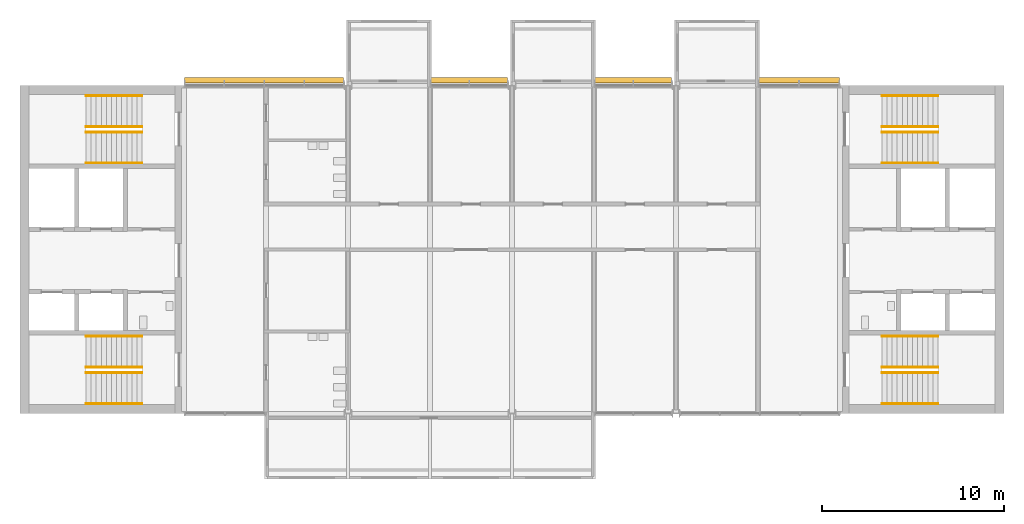
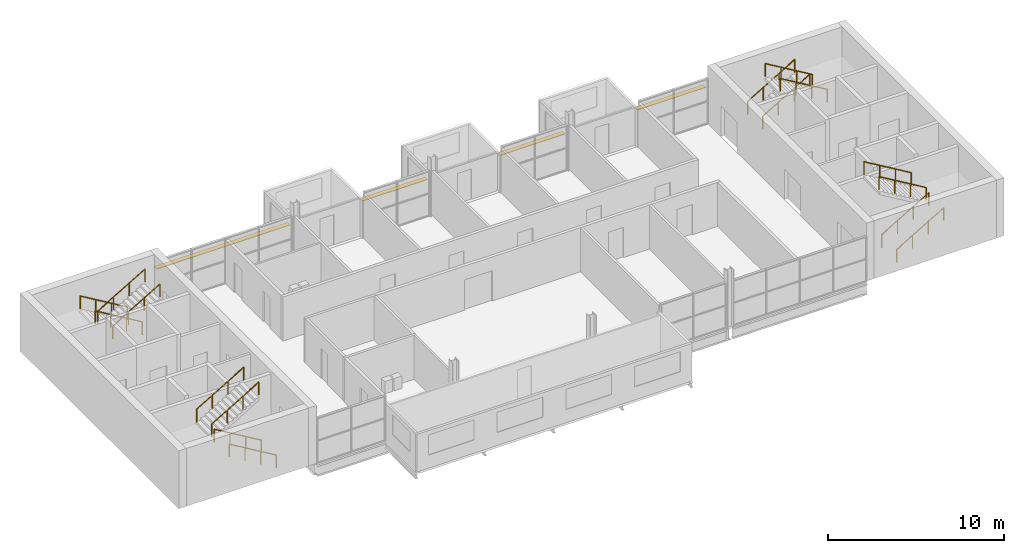
# One storey, part 10 of 11: 16 railings, 4 shading devices.
"""IFC4 building model written with IfcOpenShell, lengths in metres."""

from ifc_helpers import new_model, si_unit, direction, frame, origin, origin_2d, place, context, subcontext, project, spatial, rectangle, circle, extrude, material, layer, layer_set, type_object, element, save


model = new_model("IFC4")

# Units and contexts
model_context = context("Model", 3, precision=1e-05, world=origin(), true_north=direction((0.0, 1.0)))
body_context = subcontext(model_context, "Body", "Model", "MODEL_VIEW")
ifc_project = project(units=[si_unit("LENGTHUNIT", "METRE"), si_unit("AREAUNIT", "SQUARE_METRE"), si_unit("VOLUMEUNIT", "CUBIC_METRE"), si_unit("PLANEANGLEUNIT", "RADIAN"), si_unit("MASSUNIT", "GRAM", prefix="KILO")], contexts=[model_context])

# Site, building, storey
site_placement = place(None, origin())
site = spatial("IfcSite", under=ifc_project, at=site_placement, CompositionType="ELEMENT")
building_placement = place(site_placement, origin())
building = spatial("IfcBuilding", under=site, at=building_placement, Name="Corbel Yard City Hall", CompositionType="ELEMENT")
storey_placement = place(building_placement, frame((0.0, 0.0, 35.199951171875)))
storey = spatial("IfcBuildingStorey", under=building, at=storey_placement, Name="L08", CompositionType="ELEMENT", Elevation=35.199951171875)

# Railings
ifc_material_1 = material(Name="Stainless steel Grade 316", Category="steel")
railing_type = type_object("IfcRailingType", Name="HR1", PredefinedType="HANDRAIL", material=ifc_material_1)
for number, where, name in (
    (1, (6.699951171875, 99.550048828125, 0.166748046875), "Exit stair ST-W1 handrail"),
    (2, (6.699951171875, 101.25, 0.166748046875), "Exit stair ST-W1 handrail"),
):
    element("IfcRailing", number, at=place(storey_placement, frame(where)), inside=storey, type_object=railing_type, Name=name, PredefinedType="HANDRAIL", context=body_context, shape_type="SweptSolid", body=[
        extrude(circle(Radius=0.02392578125, at=origin_2d()), frame((0.0, 0.0, 0.8759765625), z_axis=(-0.859290745958, 0.0, 0.51148745235), x_axis=(0.0, -1.0, 0.0)), (0.0, 0.0, 1.0), 3.584228515625),
        extrude(circle(Radius=0.02099609375, at=origin_2d()), origin(), (0.0, 0.0, 1.0), 0.851806640625),
        extrude(circle(Radius=0.02099609375, at=origin_2d()), frame((-1.026611328125, 0.0, 0.611083984375)), (0.0, 0.0, 1.0), 0.851806640625),
        extrude(circle(Radius=0.02099609375, at=origin_2d()), frame((-2.05322265625, 0.0, 1.22216796875)), (0.0, 0.0, 1.0), 0.851806640625),
        extrude(circle(Radius=0.02099609375, at=origin_2d()), frame((-3.079833984375, 0.0, 1.833251953125)), (0.0, 0.0, 1.0), 0.851806640625),
    ])
for number, where, name in (
    (3, (3.6201171875, 101.550048828125, 2.166748046875), "Exit stair ST-W1 handrail"),
    (4, (3.6201171875, 103.25, 2.166748046875), "Exit stair ST-W1 handrail"),
):
    element("IfcRailing", number, at=place(storey_placement, frame(where)), inside=storey, type_object=railing_type, Name=name, PredefinedType="HANDRAIL", context=body_context, shape_type="SweptSolid", body=[
        extrude(circle(Radius=0.02392578125, at=origin_2d()), frame((0.0, 0.0, 0.8759765625), z_axis=(0.859290745958, 0.0, 0.51148745235), x_axis=(0.0, 1.0, 0.0)), (0.0, 0.0, 1.0), 3.584228515625),
        extrude(circle(Radius=0.02099609375, at=origin_2d()), origin(), (0.0, 0.0, 1.0), 0.851806640625),
        extrude(circle(Radius=0.02099609375, at=origin_2d()), frame((1.026611328125, 0.0, 0.611083984375)), (0.0, 0.0, 1.0), 0.851806640625),
        extrude(circle(Radius=0.02099609375, at=origin_2d()), frame((2.05322265625, 0.0, 1.22216796875)), (0.0, 0.0, 1.0), 0.851806640625),
        extrude(circle(Radius=0.02099609375, at=origin_2d()), frame((3.079833984375, 0.0, 1.833251953125)), (0.0, 0.0, 1.0), 0.851806640625),
    ])
for number, where, name in (
    (5, (6.699951171875, 116.449951171875, 0.166748046875), "Exit stair ST-W2 handrail"),
    (6, (6.699951171875, 114.75, 0.166748046875), "Exit stair ST-W2 handrail"),
):
    element("IfcRailing", number, at=place(storey_placement, frame(where)), inside=storey, type_object=railing_type, Name=name, PredefinedType="HANDRAIL", context=body_context, shape_type="SweptSolid", body=[
        extrude(circle(Radius=0.02392578125, at=origin_2d()), frame((0.0, 0.0, 0.8759765625), z_axis=(-0.859290745958, 0.0, 0.51148745235), x_axis=(0.0, -1.0, 0.0)), (0.0, 0.0, 1.0), 3.584228515625),
        extrude(circle(Radius=0.02099609375, at=origin_2d()), origin(), (0.0, 0.0, 1.0), 0.851806640625),
        extrude(circle(Radius=0.02099609375, at=origin_2d()), frame((-1.026611328125, 0.0, 0.611083984375)), (0.0, 0.0, 1.0), 0.851806640625),
        extrude(circle(Radius=0.02099609375, at=origin_2d()), frame((-2.05322265625, 0.0, 1.22216796875)), (0.0, 0.0, 1.0), 0.851806640625),
        extrude(circle(Radius=0.02099609375, at=origin_2d()), frame((-3.079833984375, 0.0, 1.833251953125)), (0.0, 0.0, 1.0), 0.851806640625),
    ])
for number, where, name in (
    (7, (3.6201171875, 114.449951171875, 2.166748046875), "Exit stair ST-W2 handrail"),
    (8, (3.6201171875, 112.75, 2.166748046875), "Exit stair ST-W2 handrail"),
    (9, (47.300048828125, 99.550048828125, 0.166748046875), "Exit stair ST-E1 handrail"),
    (10, (47.300048828125, 101.25, 0.166748046875), "Exit stair ST-E1 handrail"),
):
    element("IfcRailing", number, at=place(storey_placement, frame(where)), inside=storey, type_object=railing_type, Name=name, PredefinedType="HANDRAIL", context=body_context, shape_type="SweptSolid", body=[
        extrude(circle(Radius=0.02392578125, at=origin_2d()), frame((0.0, 0.0, 0.8759765625), z_axis=(0.859290745958, 0.0, 0.51148745235), x_axis=(0.0, 1.0, 0.0)), (0.0, 0.0, 1.0), 3.584228515625),
        extrude(circle(Radius=0.02099609375, at=origin_2d()), origin(), (0.0, 0.0, 1.0), 0.851806640625),
        extrude(circle(Radius=0.02099609375, at=origin_2d()), frame((1.026611328125, 0.0, 0.611083984375)), (0.0, 0.0, 1.0), 0.851806640625),
        extrude(circle(Radius=0.02099609375, at=origin_2d()), frame((2.05322265625, 0.0, 1.22216796875)), (0.0, 0.0, 1.0), 0.851806640625),
        extrude(circle(Radius=0.02099609375, at=origin_2d()), frame((3.079833984375, 0.0, 1.833251953125)), (0.0, 0.0, 1.0), 0.851806640625),
    ])
for number, where, name in (
    (11, (50.3798828125, 101.550048828125, 2.166748046875), "Exit stair ST-E1 handrail"),
    (12, (50.3798828125, 103.25, 2.166748046875), "Exit stair ST-E1 handrail"),
):
    element("IfcRailing", number, at=place(storey_placement, frame(where)), inside=storey, type_object=railing_type, Name=name, PredefinedType="HANDRAIL", context=body_context, shape_type="SweptSolid", body=[
        extrude(circle(Radius=0.02392578125, at=origin_2d()), frame((0.0, 0.0, 0.8759765625), z_axis=(-0.859290745958, 0.0, 0.51148745235), x_axis=(0.0, -1.0, 0.0)), (0.0, 0.0, 1.0), 3.584228515625),
        extrude(circle(Radius=0.02099609375, at=origin_2d()), origin(), (0.0, 0.0, 1.0), 0.851806640625),
        extrude(circle(Radius=0.02099609375, at=origin_2d()), frame((-1.026611328125, 0.0, 0.611083984375)), (0.0, 0.0, 1.0), 0.851806640625),
        extrude(circle(Radius=0.02099609375, at=origin_2d()), frame((-2.05322265625, 0.0, 1.22216796875)), (0.0, 0.0, 1.0), 0.851806640625),
        extrude(circle(Radius=0.02099609375, at=origin_2d()), frame((-3.079833984375, 0.0, 1.833251953125)), (0.0, 0.0, 1.0), 0.851806640625),
    ])
for number, where, name in (
    (13, (47.300048828125, 116.449951171875, 0.166748046875), "Exit stair ST-E2 handrail"),
    (14, (47.300048828125, 114.75, 0.166748046875), "Exit stair ST-E2 handrail"),
):
    element("IfcRailing", number, at=place(storey_placement, frame(where)), inside=storey, type_object=railing_type, Name=name, PredefinedType="HANDRAIL", context=body_context, shape_type="SweptSolid", body=[
        extrude(circle(Radius=0.02392578125, at=origin_2d()), frame((0.0, 0.0, 0.8759765625), z_axis=(0.859290745958, 0.0, 0.51148745235), x_axis=(0.0, 1.0, 0.0)), (0.0, 0.0, 1.0), 3.584228515625),
        extrude(circle(Radius=0.02099609375, at=origin_2d()), origin(), (0.0, 0.0, 1.0), 0.851806640625),
        extrude(circle(Radius=0.02099609375, at=origin_2d()), frame((1.026611328125, 0.0, 0.611083984375)), (0.0, 0.0, 1.0), 0.851806640625),
        extrude(circle(Radius=0.02099609375, at=origin_2d()), frame((2.05322265625, 0.0, 1.22216796875)), (0.0, 0.0, 1.0), 0.851806640625),
        extrude(circle(Radius=0.02099609375, at=origin_2d()), frame((3.079833984375, 0.0, 1.833251953125)), (0.0, 0.0, 1.0), 0.851806640625),
    ])
for number, where, name in (
    (15, (50.3798828125, 114.449951171875, 2.166748046875), "Exit stair ST-E2 handrail"),
    (16, (50.3798828125, 112.75, 2.166748046875), "Exit stair ST-E2 handrail"),
):
    element("IfcRailing", number, at=place(storey_placement, frame(where)), inside=storey, type_object=railing_type, Name=name, PredefinedType="HANDRAIL", context=body_context, shape_type="SweptSolid", body=[
        extrude(circle(Radius=0.02392578125, at=origin_2d()), frame((0.0, 0.0, 0.8759765625), z_axis=(-0.859290745958, 0.0, 0.51148745235), x_axis=(0.0, -1.0, 0.0)), (0.0, 0.0, 1.0), 3.584228515625),
        extrude(circle(Radius=0.02099609375, at=origin_2d()), origin(), (0.0, 0.0, 1.0), 0.851806640625),
        extrude(circle(Radius=0.02099609375, at=origin_2d()), frame((-1.026611328125, 0.0, 0.611083984375)), (0.0, 0.0, 1.0), 0.851806640625),
        extrude(circle(Radius=0.02099609375, at=origin_2d()), frame((-2.05322265625, 0.0, 1.22216796875)), (0.0, 0.0, 1.0), 0.851806640625),
        extrude(circle(Radius=0.02099609375, at=origin_2d()), frame((-3.079833984375, 0.0, 1.833251953125)), (0.0, 0.0, 1.0), 0.851806640625),
    ])

# Shading devices
ifc_material_2 = material(Name="Anodised aluminium", Category="aluminium")
ifc_layer = layer(ifc_material_2, 0.0400390625)
ifc_layer_set = layer_set([ifc_layer], Name="Anodised aluminium")
shading_device_type = type_object("IfcShadingDeviceType", Name="LV1", PredefinedType="JALOUSIE", material=ifc_layer_set)
shading_device_1_placement = place(storey_placement, frame((13.396484375, 117.2900390625, 2.392578125), z_axis=(0.0, 0.0, 1.0), x_axis=(1.0, 0.0, 0.0)))
element("IfcShadingDevice", 17, at=shading_device_1_placement, inside=storey, type_object=shading_device_type, Name="Louvre blade", PredefinedType="JALOUSIE", context=body_context, shape_type="SweptSolid", body=[
    extrude(rectangle(XDim=8.72802734375, YDim=0.300048828125, at=origin_2d()), origin(), (0.0, 0.0, 1.0), 0.0400390625),
])
for number, where, z_axis, x_axis, name in (
    (18, (24.646484375, 117.2900390625, 2.392578125), (0.0, 0.0, 1.0), (1.0, 0.0, 0.0), "Louvre blade"),
    (19, (33.646484375, 117.2900390625, 2.392578125), (0.0, 0.0, 1.0), (1.0, 0.0, 0.0), "Louvre blade"),
):
    element("IfcShadingDevice", number, at=place(storey_placement, frame(where, z_axis=z_axis, x_axis=x_axis)), inside=storey, type_object=shading_device_type, Name=name, PredefinedType="JALOUSIE", context=body_context, shape_type="SweptSolid", body=[
        extrude(rectangle(XDim=4.22802734375, YDim=0.300048828125, at=origin_2d()), origin(), (0.0, 0.0, 1.0), 0.0400390625),
    ])
shading_device_2_placement = place(storey_placement, frame((42.75, 117.2900390625, 2.392578125), z_axis=(0.0, 0.0, 1.0), x_axis=(1.0, 0.0, 0.0)))
element("IfcShadingDevice", 20, at=shading_device_2_placement, inside=storey, type_object=shading_device_type, Name="Louvre blade", PredefinedType="JALOUSIE", context=body_context, shape_type="SweptSolid", body=[
    extrude(rectangle(XDim=4.43505859375, YDim=0.300048828125, at=origin_2d()), origin(), (0.0, 0.0, 1.0), 0.0400390625),
])

save(model, "model.ifc")
